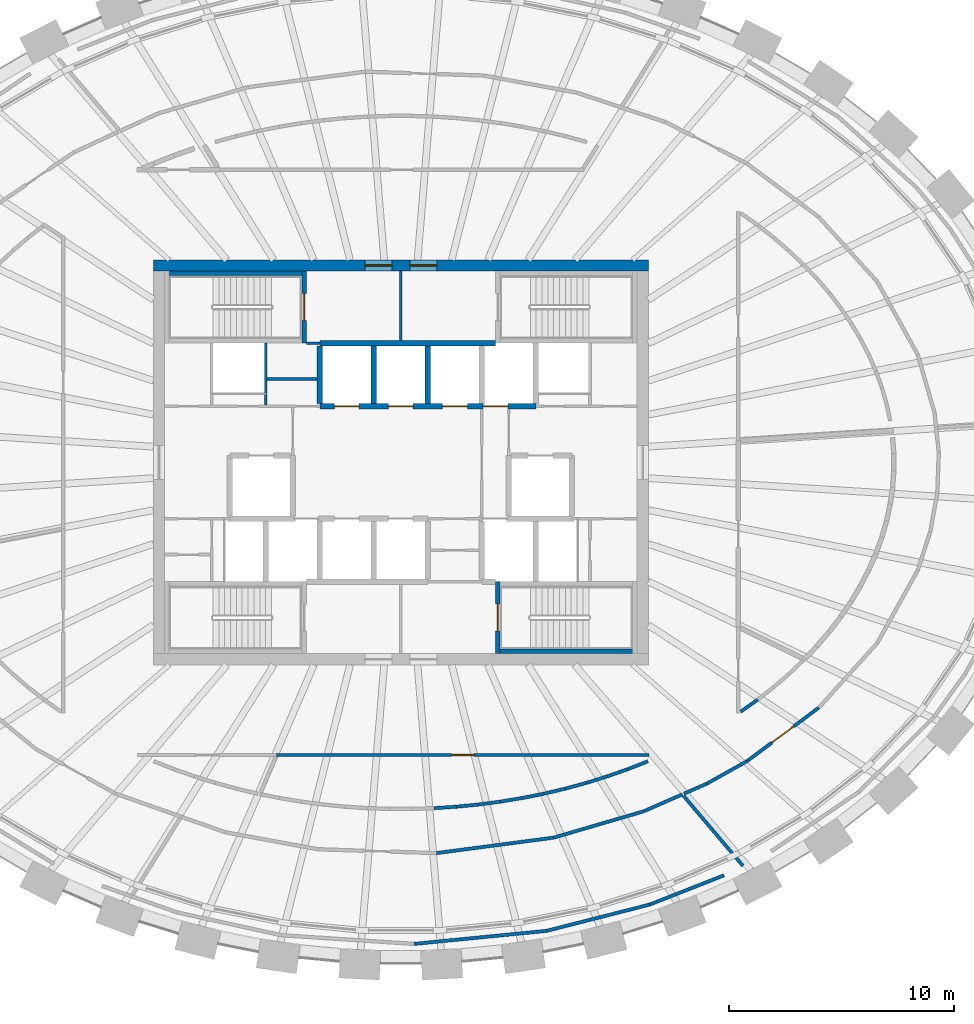
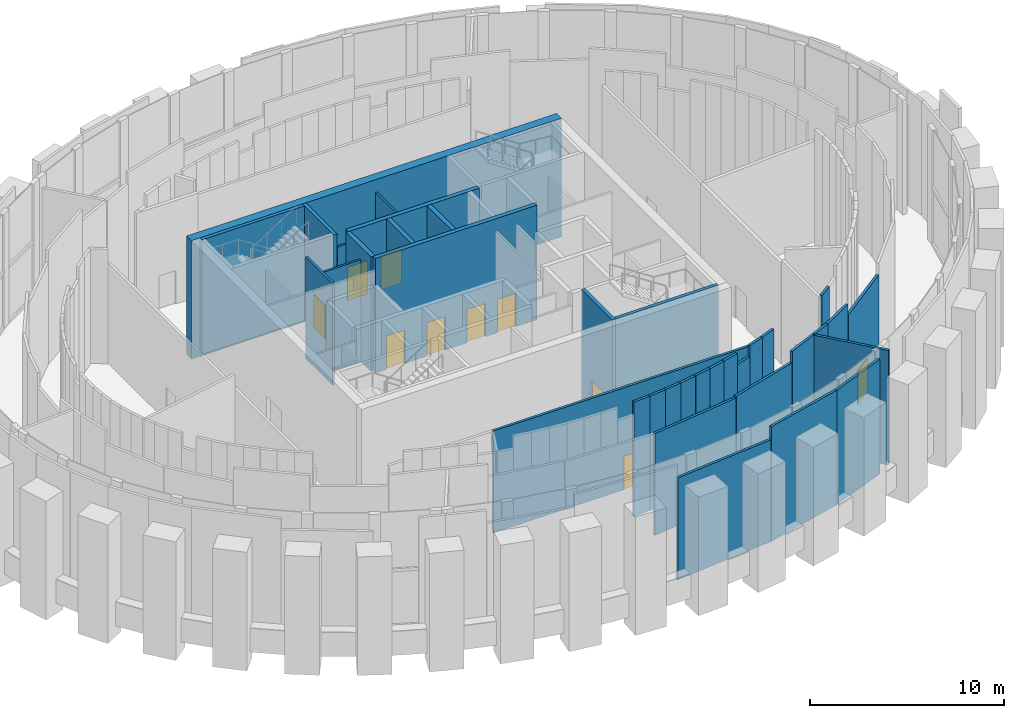
# One storey, part 10 of 16: 36 walls, 10 doors, 10 openings.
"""IFC4 building model written with IfcOpenShell, lengths in metres."""

from ifc_helpers import new_model, si_unit, direction, frame, frame_2d, origin, place, context, subcontext, project, spatial, rectangle, extrude, source, transform, mapped, material, layer, layer_set, type_object, element, fill, save


model = new_model("IFC4")

# Units and contexts
model_context = context("Model", 3, precision=1e-05, world=origin(), true_north=direction((0.0, 1.0)))
body_context = subcontext(model_context, "Body", "Model", "MODEL_VIEW")
ifc_project = project(units=[si_unit("LENGTHUNIT", "METRE"), si_unit("AREAUNIT", "SQUARE_METRE"), si_unit("VOLUMEUNIT", "CUBIC_METRE"), si_unit("PLANEANGLEUNIT", "RADIAN"), si_unit("MASSUNIT", "GRAM", prefix="KILO")], contexts=[model_context])

# Site, building, storey
site_placement = place(None, origin())
site = spatial("IfcSite", under=ifc_project, at=site_placement, CompositionType="ELEMENT")
building_placement = place(site_placement, origin())
building = spatial("IfcBuilding", under=site, at=building_placement, Name="Embergate Tower", CompositionType="ELEMENT")
storey_placement = place(building_placement, frame((0.0, 0.0, 332.5)))
storey = spatial("IfcBuildingStorey", under=building, at=storey_placement, Name="L78", CompositionType="ELEMENT", Elevation=332.5)

# Wall, openings, doors
ifc_material_1 = material(Name="Concrete C50", Category="concrete")
ifc_layer_1 = layer(ifc_material_1, 0.5)
ifc_layer_set_1 = layer_set([ifc_layer_1], Name="Concrete C50")
wall_type_1 = type_object("IfcWallType", Name="Core outer wall C50 500", PredefinedType="SHEAR", material=ifc_layer_set_1)
shared_shape_1 = source(origin(), body_context, "Body", "SweptSolid", [
    extrude(rectangle(XDim=22.0, YDim=0.5, at=frame_2d((11.0, 0.0))), origin(), (0.0, 0.0, 1.0), 7.449951171875),
])
wall_1_placement = place(storey_placement, frame((-11.0, 8.75, -0.25), z_axis=(0.0, 0.0, 1.0), x_axis=(1.0, 0.0, 0.0)))
wall_1 = element("IfcWall", 1, at=wall_1_placement, inside=storey, type_object=wall_type_1, Name="CW-L78-N", PredefinedType="SHEAR", context=body_context, shape_type="MappedRepresentation", body=[
    mapped(shared_shape_1, transform((0.0, 0.0, 0.0))),
])
shared_shape_2 = source(origin(), body_context, "Body", "SweptSolid", [
    extrude(rectangle(XDim=1.199951171875, YDim=2.10009765625, at=frame_2d((0.60009765625, 1.050048828125))), frame((0.0, 0.260009765625, 0.0), z_axis=(0.0, -1.0, 0.0), x_axis=(1.0, 0.0, 0.0)), (0.0, 0.0, 1.0), 0.52001953125),
])
opening_1_placement = place(wall_1_placement, frame((9.39990234375, 0.0, 0.25)))
opening_1 = element("IfcOpeningElement", 2, at=opening_1_placement, cuts=wall_1, Name="Opening IF-1", PredefinedType="OPENING", context=body_context, shape_type="MappedRepresentation", body=[
    mapped(shared_shape_2, transform((0.0, 0.0, 0.0))),
])
opening_2_placement = place(wall_1_placement, frame((11.39990234375, 0.0, 0.25)))
opening_2 = element("IfcOpeningElement", 3, at=opening_2_placement, cuts=wall_1, Name="Opening IF-1", PredefinedType="OPENING", context=body_context, shape_type="MappedRepresentation", body=[
    mapped(shared_shape_2, transform((0.0, 0.0, 0.0))),
])
ifc_material_2 = material(Name="Escape fire door 1200")
door_type_1 = type_object("IfcDoorType", Name="Escape fire door 1200", OperationType="SINGLE_SWING_LEFT", PredefinedType="DOOR", material=ifc_material_2)
shared_shape_3 = source(origin(), body_context, "Body", "SweptSolid", [
    extrude(rectangle(XDim=1.199951171875, YDim=2.10009765625, at=frame_2d((0.60009765625, 1.050048828125))), frame((0.0, 0.02490234375, 0.0), z_axis=(0.0, -1.0, 0.0), x_axis=(1.0, 0.0, 0.0)), (0.0, 0.0, 1.0), 0.050048828125),
])
door_1_placement = place(opening_1_placement, origin())
door_1 = element("IfcDoor", 4, at=door_1_placement, inside=storey, type_object=door_type_1, Name="IF-1 door", OperationType="SINGLE_SWING_LEFT", OverallHeight=2.10009765625, OverallWidth=1.199951171875, PredefinedType="DOOR", context=body_context, shape_type="MappedRepresentation", body=[
    mapped(shared_shape_3, transform((0.0, 0.0, 0.0))),
])
fill(opening_1, door_1)
door_2_placement = place(opening_2_placement, origin())
door_2 = element("IfcDoor", 5, at=door_2_placement, inside=storey, type_object=door_type_1, Name="IF-1 door", OperationType="SINGLE_SWING_RIGHT", OverallHeight=2.10009765625, OverallWidth=1.199951171875, PredefinedType="DOOR", context=body_context, shape_type="MappedRepresentation", body=[
    mapped(shared_shape_3, transform((0.0, 0.0, 0.0))),
])
fill(opening_2, door_2)

# Walls
ifc_layer_2 = layer(ifc_material_1, 0.199951171875)
ifc_layer_set_2 = layer_set([ifc_layer_2], Name="Concrete C50")
wall_type_2 = type_object("IfcWallType", Name="Stair enclosure wall reinforced concrete 250", PredefinedType="SHEAR", material=ifc_layer_set_2)
shared_shape_4 = source(origin(), body_context, "Body", "SweptSolid", [
    extrude(rectangle(XDim=6.298095703125, YDim=0.199951171875, at=frame_2d((3.14892578125, 0.0))), origin(), (0.0, 0.0, 1.0), 7.199951171875),
])
for number, where, z_axis, x_axis, name in (
    (6, (-4.201904296875, 8.39990234375, 0.0), (0.0, 0.0, 1.0), (-1.0, 0.0, 0.0), "SE-1 wall"),
    (7, (4.201904296875, -8.39990234375, 0.0), (0.0, 0.0, 1.0), (1.0, 0.0, 0.0), "SE-1 wall"),
):
    element("IfcWall", number, at=place(storey_placement, frame(where, z_axis=z_axis, x_axis=x_axis)), inside=storey, type_object=wall_type_2, Name=name, PredefinedType="SHEAR", context=body_context, shape_type="MappedRepresentation", body=[
        mapped(shared_shape_4, transform((0.0, 0.0, 0.0))),
    ])
ifc_material_3 = material(Name="Core partition blockwork 120")
ifc_layer_3 = layer(ifc_material_3, 0.1201171875)
ifc_layer_set_3 = layer_set([ifc_layer_3], Name="Core partition blockwork 120")
wall_type_3 = type_object("IfcWallType", Name="Core partition blockwork 120", PredefinedType="PARTITIONING", material=ifc_layer_set_3)
shared_shape_5 = source(origin(), body_context, "Body", "SweptSolid", [
    extrude(rectangle(XDim=2.738037109375, YDim=0.1201171875, at=frame_2d((1.369140625, 0.0))), origin(), (0.0, 0.0, 1.0), 6.39990234375),
])
wall_2_placement = place(storey_placement, frame((-6.0, 2.56005859375, 0.0), z_axis=(0.0, 0.0, 1.0), x_axis=(0.0, 1.0, 0.0)))
element("IfcWall", 8, at=wall_2_placement, inside=storey, type_object=wall_type_3, Name="IP-3 wall", PredefinedType="PARTITIONING", context=body_context, shape_type="MappedRepresentation", body=[
    mapped(shared_shape_5, transform((0.0, 0.0, 0.0))),
])
ifc_layer_4 = layer(ifc_material_1, 0.25)
ifc_layer_set_4 = layer_set([ifc_layer_4], Name="Concrete C50")
wall_type_4 = type_object("IfcWallType", Name="Hoistway wall reinforced concrete 250", PredefinedType="SHEAR", material=ifc_layer_set_4)
shared_shape_6 = source(origin(), body_context, "Body", "SweptSolid", [
    extrude(rectangle(XDim=2.550048828125, YDim=0.25, at=frame_2d((1.27490234375, 0.0))), origin(), (0.0, 0.0, 1.0), 7.199951171875),
])
for number, where, z_axis, x_axis, name in (
    (9, (-1.199951171875, 2.625, 0.0), (0.0, 0.0, 1.0), (0.0, 1.0, 0.0), "HW-1 wall"),
    (10, (1.199951171875, 2.625, 0.0), (0.0, 0.0, 1.0), (0.0, 1.0, 0.0), "HW-1 wall"),
):
    element("IfcWall", number, at=place(storey_placement, frame(where, z_axis=z_axis, x_axis=x_axis)), inside=storey, type_object=wall_type_4, Name=name, PredefinedType="SHEAR", context=body_context, shape_type="MappedRepresentation", body=[
        mapped(shared_shape_6, transform((0.0, 0.0, 0.0))),
    ])

# Wall, openings, doors
shared_shape_7 = source(origin(), body_context, "Body", "SweptSolid", [
    extrude(rectangle(XDim=9.60009765625, YDim=0.25, at=frame_2d((4.800048828125, 0.0))), origin(), (0.0, 0.0, 1.0), 7.199951171875),
])
wall_3_placement = place(storey_placement, frame((-3.60009765625, 2.5, 0.0), z_axis=(0.0, 0.0, 1.0), x_axis=(1.0, 0.0, 0.0)))
wall_3 = element("IfcWall", 11, at=wall_3_placement, inside=storey, type_object=wall_type_4, Name="HW-1 wall", PredefinedType="SHEAR", context=body_context, shape_type="MappedRepresentation", body=[
    mapped(shared_shape_7, transform((0.0, 0.0, 0.0))),
])
shared_shape_8 = source(origin(), body_context, "Body", "SweptSolid", [
    extrude(rectangle(XDim=1.10009765625, YDim=2.10009765625, at=frame_2d((0.550048828125, 1.050048828125))), frame((0.0, 0.135009765625, 0.0), z_axis=(0.0, -1.0, 0.0), x_axis=(1.0, 0.0, 0.0)), (0.0, 0.0, 1.0), 0.27001953125),
])
opening_3_placement = place(wall_3_placement, frame((0.64990234375, 0.0, 0.0)))
opening_3 = element("IfcOpeningElement", 12, at=opening_3_placement, cuts=wall_3, Name="Opening LD", PredefinedType="OPENING", context=body_context, shape_type="MappedRepresentation", body=[
    mapped(shared_shape_8, transform((0.0, 0.0, 0.0))),
])
opening_4_placement = place(wall_3_placement, frame((3.050048828125, 0.0, 0.0)))
opening_4 = element("IfcOpeningElement", 13, at=opening_4_placement, cuts=wall_3, Name="Opening LD", PredefinedType="OPENING", context=body_context, shape_type="MappedRepresentation", body=[
    mapped(shared_shape_8, transform((0.0, 0.0, 0.0))),
])
opening_5_placement = place(wall_3_placement, frame((5.449951171875, 0.0, 0.0)))
opening_5 = element("IfcOpeningElement", 14, at=opening_5_placement, cuts=wall_3, Name="Opening LD", PredefinedType="OPENING", context=body_context, shape_type="MappedRepresentation", body=[
    mapped(shared_shape_8, transform((0.0, 0.0, 0.0))),
])
opening_6_placement = place(wall_3_placement, frame((7.25, 0.0, 0.0)))
opening_6 = element("IfcOpeningElement", 15, at=opening_6_placement, cuts=wall_3, Name="Opening LD", PredefinedType="OPENING", context=body_context, shape_type="MappedRepresentation", body=[
    mapped(shared_shape_8, transform((0.0, 0.0, 0.0))),
])
ifc_material_4 = material(Name="Landing door sliding 1100")
door_type_2 = type_object("IfcDoorType", Name="Landing door sliding 1100", OperationType="SLIDING_TO_LEFT", PredefinedType="DOOR", material=ifc_material_4)
shared_shape_9 = source(origin(), body_context, "Body", "SweptSolid", [
    extrude(rectangle(XDim=1.10009765625, YDim=2.10009765625, at=frame_2d((0.550048828125, 1.050048828125))), frame((0.0, 0.02490234375, 0.0), z_axis=(0.0, -1.0, 0.0), x_axis=(1.0, 0.0, 0.0)), (0.0, 0.0, 1.0), 0.050048828125),
])
door_3_placement = place(opening_3_placement, origin())
door_3 = element("IfcDoor", 16, at=door_3_placement, inside=storey, type_object=door_type_2, Name="LD door", OperationType="SLIDING_TO_RIGHT", OverallHeight=2.10009765625, OverallWidth=1.10009765625, PredefinedType="DOOR", context=body_context, shape_type="MappedRepresentation", body=[
    mapped(shared_shape_9, transform((0.0, 0.0, 0.0))),
])
fill(opening_3, door_3)
door_4_placement = place(opening_4_placement, origin())
door_4 = element("IfcDoor", 17, at=door_4_placement, inside=storey, type_object=door_type_2, Name="LD door", OperationType="SLIDING_TO_LEFT", OverallHeight=2.10009765625, OverallWidth=1.10009765625, PredefinedType="DOOR", context=body_context, shape_type="MappedRepresentation", body=[
    mapped(shared_shape_9, transform((0.0, 0.0, 0.0))),
])
fill(opening_4, door_4)
door_5_placement = place(opening_5_placement, origin())
door_5 = element("IfcDoor", 18, at=door_5_placement, inside=storey, type_object=door_type_2, Name="LD door", OperationType="SLIDING_TO_LEFT", OverallHeight=2.10009765625, OverallWidth=1.10009765625, PredefinedType="DOOR", context=body_context, shape_type="MappedRepresentation", body=[
    mapped(shared_shape_9, transform((0.0, 0.0, 0.0))),
])
fill(opening_5, door_5)
door_6_placement = place(opening_6_placement, origin())
door_6 = element("IfcDoor", 19, at=door_6_placement, inside=storey, type_object=door_type_2, Name="LD door", OperationType="SLIDING_TO_LEFT", OverallHeight=2.10009765625, OverallWidth=1.10009765625, PredefinedType="DOOR", context=body_context, shape_type="MappedRepresentation", body=[
    mapped(shared_shape_9, transform((0.0, 0.0, 0.0))),
])
fill(opening_6, door_6)

# Walls
shared_shape_10 = source(origin(), body_context, "Body", "SweptSolid", [
    extrude(rectangle(XDim=7.800048828125, YDim=0.25, at=frame_2d((3.89990234375, 0.0))), origin(), (0.0, 0.0, 1.0), 7.199951171875),
])
wall_4_placement = place(storey_placement, frame((4.199951171875, 5.300048828125, 0.0), z_axis=(0.0, 0.0, 1.0), x_axis=(-1.0, 0.0, 0.0)))
element("IfcWall", 20, at=wall_4_placement, inside=storey, type_object=wall_type_4, Name="HW-1 wall", PredefinedType="SHEAR", context=body_context, shape_type="MappedRepresentation", body=[
    mapped(shared_shape_10, transform((0.0, 0.0, 0.0))),
])
shared_shape_11 = source(origin(), body_context, "Body", "SweptSolid", [
    extrude(rectangle(XDim=2.548095703125, YDim=0.25, at=frame_2d((1.27392578125, 0.0))), origin(), (0.0, 0.0, 1.0), 7.199951171875),
])
wall_5_placement = place(storey_placement, frame((-3.60009765625, 5.173095703125, 0.0), z_axis=(0.0, 0.0, 1.0), x_axis=(0.0, -1.0, 0.0)))
element("IfcWall", 21, at=wall_5_placement, inside=storey, type_object=wall_type_4, Name="HW-1 wall", PredefinedType="SHEAR", context=body_context, shape_type="MappedRepresentation", body=[
    mapped(shared_shape_11, transform((0.0, 0.0, 0.0))),
])

# Wall, opening, door
shared_shape_12 = source(origin(), body_context, "Body", "SweptSolid", [
    extrude(rectangle(XDim=3.199951171875, YDim=0.199951171875, at=frame_2d((1.60009765625, 0.0))), origin(), (0.0, 0.0, 1.0), 7.199951171875),
])
wall_6_placement = place(storey_placement, frame((-4.300048828125, 5.300048828125, 0.0), z_axis=(0.0, 0.0, 1.0), x_axis=(0.0, 1.0, 0.0)))
wall_6 = element("IfcWall", 22, at=wall_6_placement, inside=storey, type_object=wall_type_2, Name="SE-1 wall", PredefinedType="SHEAR", context=body_context, shape_type="MappedRepresentation", body=[
    mapped(shared_shape_12, transform((0.0, 0.0, 0.0))),
])
shared_shape_13 = source(origin(), body_context, "Body", "SweptSolid", [
    extrude(rectangle(XDim=1.199951171875, YDim=2.10009765625, at=frame_2d((0.60009765625, 1.050048828125))), frame((0.0, 0.10986328125, 0.0), z_axis=(0.0, -1.0, 0.0), x_axis=(1.0, 0.0, 0.0)), (0.0, 0.0, 1.0), 0.219970703125),
])
opening_7_placement = place(wall_6_placement, frame((1.0, 0.0, 0.0)))
opening_7 = element("IfcOpeningElement", 23, at=opening_7_placement, cuts=wall_6, Name="Opening IF-2", PredefinedType="OPENING", context=body_context, shape_type="MappedRepresentation", body=[
    mapped(shared_shape_13, transform((0.0, 0.0, 0.0))),
])
ifc_material_5 = material(Name="Stair enclosure door 1200")
door_type_3 = type_object("IfcDoorType", Name="Stair enclosure door 1200", OperationType="SINGLE_SWING_LEFT", PredefinedType="DOOR", material=ifc_material_5)
door_7_placement = place(opening_7_placement, origin())
door_7 = element("IfcDoor", 24, at=door_7_placement, inside=storey, type_object=door_type_3, Name="IF-2 door", OperationType="SINGLE_SWING_RIGHT", OverallHeight=2.10009765625, OverallWidth=1.199951171875, PredefinedType="DOOR", context=body_context, shape_type="MappedRepresentation", body=[
    mapped(shared_shape_3, transform((0.0, 0.0, 0.0))),
])
fill(opening_7, door_7)

wall_7_placement = place(storey_placement, frame((4.300048828125, -5.300048828125, 0.0), z_axis=(0.0, 0.0, 1.0), x_axis=(0.0, -1.0, 0.0)))
wall_7 = element("IfcWall", 25, at=wall_7_placement, inside=storey, type_object=wall_type_2, Name="SE-1 wall", PredefinedType="SHEAR", context=body_context, shape_type="MappedRepresentation", body=[
    mapped(shared_shape_12, transform((0.0, 0.0, 0.0))),
])
opening_8_placement = place(wall_7_placement, frame((1.0, 0.0, 0.0)))
opening_8 = element("IfcOpeningElement", 26, at=opening_8_placement, cuts=wall_7, Name="Opening IF-2", PredefinedType="OPENING", context=body_context, shape_type="MappedRepresentation", body=[
    mapped(shared_shape_13, transform((0.0, 0.0, 0.0))),
])
door_8_placement = place(opening_8_placement, origin())
door_8 = element("IfcDoor", 27, at=door_8_placement, inside=storey, type_object=door_type_3, Name="IF-2 door", OperationType="SINGLE_SWING_RIGHT", OverallHeight=2.10009765625, OverallWidth=1.199951171875, PredefinedType="DOOR", context=body_context, shape_type="MappedRepresentation", body=[
    mapped(shared_shape_3, transform((0.0, 0.0, 0.0))),
])
fill(opening_8, door_8)

# Walls
shared_shape_14 = source(origin(), body_context, "Body", "SweptSolid", [
    extrude(rectangle(XDim=3.074951171875, YDim=0.1201171875, at=frame_2d((1.53759765625, 0.0))), origin(), (0.0, 0.0, 1.0), 6.39990234375),
])
wall_8_placement = place(storey_placement, frame((0.0, 5.425048828125, 0.0), z_axis=(0.0, 0.0, 1.0), x_axis=(0.0, 1.0, 0.0)))
element("IfcWall", 28, at=wall_8_placement, inside=storey, type_object=wall_type_3, Name="IP-3 wall", PredefinedType="PARTITIONING", context=body_context, shape_type="MappedRepresentation", body=[
    mapped(shared_shape_14, transform((0.0, 0.0, 0.0))),
])
shared_shape_15 = source(origin(), body_context, "Body", "SweptSolid", [
    extrude(rectangle(XDim=0.595947265625, YDim=0.1201171875, at=frame_2d((0.2978515625, 0.0))), origin(), (0.0, 0.0, 1.0), 6.39990234375),
])
wall_9_placement = place(storey_placement, frame((-4.197998046875, 5.300048828125, 0.0), z_axis=(0.0, 0.0, 1.0), x_axis=(1.0, 0.0, 0.0)))
element("IfcWall", 29, at=wall_9_placement, inside=storey, type_object=wall_type_3, Name="IP-3 wall", PredefinedType="PARTITIONING", context=body_context, shape_type="MappedRepresentation", body=[
    mapped(shared_shape_15, transform((0.0, 0.0, 0.0))),
])
shared_shape_16 = source(origin(), body_context, "Body", "SweptSolid", [
    extrude(rectangle(XDim=2.2109375, YDim=0.1201171875, at=frame_2d((1.10546875, 0.0))), origin(), (0.0, 0.0, 1.0), 6.39990234375),
])
wall_10_placement = place(storey_placement, frame((-3.72705078125, 3.7041015625, 0.0), z_axis=(0.0, 0.0, 1.0), x_axis=(-1.0, 0.0, 0.0)))
element("IfcWall", 30, at=wall_10_placement, inside=storey, type_object=wall_type_3, Name="IP-3 wall", PredefinedType="PARTITIONING", context=body_context, shape_type="MappedRepresentation", body=[
    mapped(shared_shape_16, transform((0.0, 0.0, 0.0))),
])
ifc_material_6 = material(Name="Plasterboard on steel stud", Category="steel")
ifc_layer_5 = layer(ifc_material_6, 0.14990234375)
ifc_layer_set_5 = layer_set([ifc_layer_5], Name="Plasterboard on steel stud")
wall_type_5 = type_object("IfcWallType", Name="Partition wall 150 board", PredefinedType="PARTITIONING", material=ifc_layer_set_5)
shared_shape_17 = source(origin(), body_context, "Body", "SweptSolid", [
    extrude(rectangle(XDim=3.5458984375, YDim=0.14990234375, at=frame_2d((1.77294921875, 0.0))), origin(), (0.0, 0.0, 1.0), 7.199951171875),
])
wall_11_placement = place(storey_placement, frame((14.35888671875, -18.34912109375, 0.0), z_axis=(0.0, 0.0, 1.0), x_axis=(-0.930607478203, -0.366018744756, 0.0)))
element("IfcWall", 31, at=wall_11_placement, inside=storey, type_object=wall_type_5, Name="Partition 149", PredefinedType="PARTITIONING", context=body_context, shape_type="MappedRepresentation", body=[
    mapped(shared_shape_17, transform((0.0, 0.0, 0.0))),
])
shared_shape_18 = source(origin(), body_context, "Body", "SweptSolid", [
    extrude(rectangle(XDim=4.728515625, YDim=0.14990234375, at=frame_2d((2.3642578125, 0.0))), origin(), (0.0, 0.0, 1.0), 7.199951171875),
])
wall_12_placement = place(storey_placement, frame((11.05908203125, -19.64697265625, 0.0), z_axis=(0.0, 0.0, 1.0), x_axis=(-0.969014535327, -0.247003705083, 0.0)))
element("IfcWall", 32, at=wall_12_placement, inside=storey, type_object=wall_type_5, Name="Partition 143", PredefinedType="PARTITIONING", context=body_context, shape_type="MappedRepresentation", body=[
    mapped(shared_shape_18, transform((0.0, 0.0, 0.0))),
])
shared_shape_19 = source(origin(), body_context, "Body", "SweptSolid", [
    extrude(rectangle(XDim=0.96728515625, YDim=0.14990234375, at=frame_2d((0.483642578125, 0.0))), origin(), (0.0, 0.0, 1.0), 7.199951171875),
])
wall_13_placement = place(storey_placement, frame((10.076904296875, -13.634033203125, 0.0), z_axis=(0.0, 0.0, 1.0), x_axis=(0.930619512582, 0.365988145713, 0.0)))
element("IfcWall", 33, at=wall_13_placement, inside=storey, type_object=wall_type_5, Name="Partition 140", PredefinedType="PARTITIONING", context=body_context, shape_type="MappedRepresentation", body=[
    mapped(shared_shape_19, transform((0.0, 0.0, 0.0))),
])
shared_shape_20 = source(origin(), body_context, "Body", "SweptSolid", [
    extrude(rectangle(XDim=0.957763671875, YDim=0.14990234375, at=frame_2d((0.47900390625, 0.0))), origin(), (0.0, 0.0, 1.0), 7.199951171875),
])
wall_14_placement = place(storey_placement, frame((9.173095703125, -13.950927734375, 0.0), z_axis=(0.0, 0.0, 1.0), x_axis=(0.943675403616, 0.330872683386, 0.0)))
element("IfcWall", 34, at=wall_14_placement, inside=storey, type_object=wall_type_5, Name="Partition 137", PredefinedType="PARTITIONING", context=body_context, shape_type="MappedRepresentation", body=[
    mapped(shared_shape_20, transform((0.0, 0.0, 0.0))),
])
shared_shape_21 = source(origin(), body_context, "Body", "SweptSolid", [
    extrude(rectangle(XDim=0.979736328125, YDim=0.14990234375, at=frame_2d((0.48974609375, 0.0))), origin(), (0.0, 0.0, 1.0), 7.199951171875),
])
wall_15_placement = place(storey_placement, frame((7.302978515625, -14.4970703125, 0.0), z_axis=(0.0, 0.0, 1.0), x_axis=(0.964683262792, 0.263412608827, 0.0)))
element("IfcWall", 35, at=wall_15_placement, inside=storey, type_object=wall_type_5, Name="Partition 131", PredefinedType="PARTITIONING", context=body_context, shape_type="MappedRepresentation", body=[
    mapped(shared_shape_21, transform((0.0, 0.0, 0.0))),
])
shared_shape_22 = source(origin(), body_context, "Body", "SweptSolid", [
    extrude(rectangle(XDim=5.248779296875, YDim=0.14990234375, at=frame_2d((2.62451171875, 0.0))), origin(), (0.0, 0.0, 1.0), 6.39990234375),
])
wall_16_placement = place(storey_placement, frame((6.782958984375, -16.675048828125, 0.0), z_axis=(0.0, 0.0, 1.0), x_axis=(-0.99142181034, -0.130701162893, 0.0)))
element("IfcWall", 36, at=wall_16_placement, inside=storey, type_object=wall_type_5, Name="Partition 130", PredefinedType="PARTITIONING", context=body_context, shape_type="MappedRepresentation", body=[
    mapped(shared_shape_22, transform((0.0, 0.0, 0.0))),
])
shared_shape_23 = source(origin(), body_context, "Body", "SweptSolid", [
    extrude(rectangle(XDim=5.91357421875, YDim=0.14990234375, at=frame_2d((2.956787109375, 0.0))), origin(), (0.0, 0.0, 1.0), 6.39990234375),
])
wall_17_placement = place(storey_placement, frame((6.47705078125, -20.81494140625, 0.0), z_axis=(0.0, 0.0, 1.0), x_axis=(-0.995177214215, -0.098093385645, 0.0)))
element("IfcWall", 37, at=wall_17_placement, inside=storey, type_object=wall_type_5, Name="Partition 129", PredefinedType="PARTITIONING", context=body_context, shape_type="MappedRepresentation", body=[
    mapped(shared_shape_23, transform((0.0, 0.0, 0.0))),
])
shared_shape_24 = source(origin(), body_context, "Body", "SweptSolid", [
    extrude(rectangle(XDim=0.97216796875, YDim=0.14990234375, at=frame_2d((0.486083984375, 0.0))), origin(), (0.0, 0.0, 1.0), 7.199951171875),
])
wall_18_placement = place(storey_placement, frame((6.35693359375, -14.720947265625, 0.0), z_axis=(0.0, 0.0, 1.0), x_axis=(0.973123250608, 0.230284908595, 0.0)))
element("IfcWall", 38, at=wall_18_placement, inside=storey, type_object=wall_type_5, Name="Partition 127", PredefinedType="PARTITIONING", context=body_context, shape_type="MappedRepresentation", body=[
    mapped(shared_shape_24, transform((0.0, 0.0, 0.0))),
])
shared_shape_25 = source(origin(), body_context, "Body", "SweptSolid", [
    extrude(rectangle(XDim=0.986328125, YDim=0.14990234375, at=frame_2d((0.4931640625, 0.0))), origin(), (0.0, 0.0, 1.0), 7.199951171875),
])
wall_19_placement = place(storey_placement, frame((4.423095703125, -15.074951171875, 0.0), z_axis=(0.0, 0.0, 1.0), x_axis=(0.986440715408, 0.164117991045, 0.0)))
element("IfcWall", 39, at=wall_19_placement, inside=storey, type_object=wall_type_5, Name="Partition 122", PredefinedType="PARTITIONING", context=body_context, shape_type="MappedRepresentation", body=[
    mapped(shared_shape_25, transform((0.0, 0.0, 0.0))),
])
shared_shape_26 = source(origin(), body_context, "Body", "SweptSolid", [
    extrude(rectangle(XDim=0.97998046875, YDim=0.14990234375, at=frame_2d((0.489990234375, 0.0))), origin(), (0.0, 0.0, 1.0), 7.199951171875),
])
wall_20_placement = place(storey_placement, frame((5.39599609375, -14.9130859375, 0.0), z_axis=(0.0, 0.0, 1.0), x_axis=(0.980590256586, 0.196068224577, 0.0)))
element("IfcWall", 40, at=wall_20_placement, inside=storey, type_object=wall_type_5, Name="Partition 125", PredefinedType="PARTITIONING", context=body_context, shape_type="MappedRepresentation", body=[
    mapped(shared_shape_26, transform((0.0, 0.0, 0.0))),
])
shared_shape_27 = source(origin(), body_context, "Body", "SweptSolid", [
    extrude(rectangle(XDim=0.982421875, YDim=0.14990234375, at=frame_2d((0.4912109375, 0.0))), origin(), (0.0, 0.0, 1.0), 7.199951171875),
])
wall_21_placement = place(storey_placement, frame((3.448974609375, -15.202880859375, 0.0), z_axis=(0.0, 0.0, 1.0), x_axis=(0.991486405438, 0.130210244724, 0.0)))
element("IfcWall", 41, at=wall_21_placement, inside=storey, type_object=wall_type_5, Name="Partition 119", PredefinedType="PARTITIONING", context=body_context, shape_type="MappedRepresentation", body=[
    mapped(shared_shape_27, transform((0.0, 0.0, 0.0))),
])
shared_shape_28 = source(origin(), body_context, "Body", "SweptSolid", [
    extrude(rectangle(XDim=0.985595703125, YDim=0.14990234375, at=frame_2d((0.49267578125, 0.0))), origin(), (0.0, 0.0, 1.0), 7.199951171875),
])
wall_22_placement = place(storey_placement, frame((2.468017578125, -15.299072265625, 0.0), z_axis=(0.0, 0.0, 1.0), x_axis=(0.995226638475, 0.097590665893, 0.0)))
element("IfcWall", 42, at=wall_22_placement, inside=storey, type_object=wall_type_5, Name="Partition 117", PredefinedType="PARTITIONING", context=body_context, shape_type="MappedRepresentation", body=[
    mapped(shared_shape_28, transform((0.0, 0.0, 0.0))),
])
shared_shape_29 = source(origin(), body_context, "Body", "SweptSolid", [
    extrude(rectangle(XDim=0.9892578125, YDim=0.14990234375, at=frame_2d((0.49462890625, 0.0))), origin(), (0.0, 0.0, 1.0), 7.199951171875),
])
wall_23_placement = place(storey_placement, frame((1.48095703125, -15.364013671875, 0.0), z_axis=(0.0, 0.0, 1.0), x_axis=(0.99784265977, 0.065650790873, 0.0)))
element("IfcWall", 43, at=wall_23_placement, inside=storey, type_object=wall_type_5, Name="Partition 114", PredefinedType="PARTITIONING", context=body_context, shape_type="MappedRepresentation", body=[
    mapped(shared_shape_29, transform((0.0, 0.0, 0.0))),
])
shared_shape_30 = source(origin(), body_context, "Body", "SweptSolid", [
    extrude(rectangle(XDim=0.96875, YDim=0.14990234375, at=frame_2d((0.484375, 0.0))), origin(), (0.0, 0.0, 1.0), 6.5),
])
wall_24_placement = place(storey_placement, frame((8.248046875, -14.239013671875, 0.0), z_axis=(0.0, 0.0, 1.0), x_axis=(0.954770964076, 0.297342237427, 0.0)))
element("IfcWall", 44, at=wall_24_placement, inside=storey, type_object=wall_type_5, Name="Partition 134", PredefinedType="PARTITIONING", context=body_context, shape_type="MappedRepresentation", body=[
    mapped(shared_shape_30, transform((0.0, 0.0, 0.0))),
])
shared_shape_31 = source(origin(), body_context, "Body", "SweptSolid", [
    extrude(rectangle(XDim=4.15771484375, YDim=0.14990234375, at=frame_2d((2.078857421875, 0.0))), origin(), (0.0, 0.0, 1.0), 6.5),
])
wall_25_placement = place(storey_placement, frame((10.77392578125, -15.509033203125, 0.0), z_axis=(0.0, 0.0, 1.0), x_axis=(-0.959871658062, -0.280439654916, 0.0)))
element("IfcWall", 45, at=wall_25_placement, inside=storey, type_object=wall_type_5, Name="Partition 141", PredefinedType="PARTITIONING", context=body_context, shape_type="MappedRepresentation", body=[
    mapped(shared_shape_31, transform((0.0, 0.0, 0.0))),
])

# Wall, opening, door
shared_shape_32 = source(origin(), body_context, "Body", "SweptSolid", [
    extrude(rectangle(XDim=16.5419921875, YDim=0.14990234375, at=frame_2d((8.27099609375, 0.0))), origin(), (0.0, 0.0, 1.0), 6.39990234375),
])
wall_26_placement = place(storey_placement, frame((11.02197265625, -13.0, 0.0), z_axis=(0.0, 0.0, 1.0), x_axis=(-1.0, 0.0, 0.0)))
wall_26 = element("IfcWall", 46, at=wall_26_placement, inside=storey, type_object=wall_type_5, Name="Partition 142", PredefinedType="PARTITIONING", context=body_context, shape_type="MappedRepresentation", body=[
    mapped(shared_shape_32, transform((0.0, 0.0, 0.0))),
])
shared_shape_33 = source(origin(), body_context, "Body", "SweptSolid", [
    extrude(rectangle(XDim=1.0, YDim=2.10009765625, at=frame_2d((0.5, 1.050048828125))), frame((0.0, 0.0849609375, 0.0), z_axis=(0.0, -1.0, 0.0), x_axis=(1.0, 0.0, 0.0)), (0.0, 0.0, 1.0), 0.169921875),
])
opening_9_placement = place(wall_26_placement, frame((7.77099609375, 0.0, 0.0)))
opening_9 = element("IfcOpeningElement", 47, at=opening_9_placement, cuts=wall_26, Name="Opening DS-270", PredefinedType="OPENING", context=body_context, shape_type="MappedRepresentation", body=[
    mapped(shared_shape_33, transform((0.0, 0.0, 0.0))),
])
ifc_material_7 = material(Name="Timber door leaf, steel frame", Category="steel")
door_type_4 = type_object("IfcDoorType", Name="Single door 1000x2100", OperationType="SINGLE_SWING_LEFT", PredefinedType="DOOR", material=ifc_material_7)
shared_shape_34 = source(origin(), body_context, "Body", "SweptSolid", [
    extrude(rectangle(XDim=1.0, YDim=2.10009765625, at=frame_2d((0.5, 1.050048828125))), frame((0.0, 0.02490234375, 0.0), z_axis=(0.0, -1.0, 0.0), x_axis=(1.0, 0.0, 0.0)), (0.0, 0.0, 1.0), 0.050048828125),
])
door_9_placement = place(opening_9_placement, origin())
door_9 = element("IfcDoor", 48, at=door_9_placement, inside=storey, type_object=door_type_4, Name="Door to Observatory office", OperationType="SINGLE_SWING_LEFT", OverallHeight=2.10009765625, OverallWidth=1.0, PredefinedType="DOOR", context=body_context, shape_type="MappedRepresentation", body=[
    mapped(shared_shape_34, transform((0.0, 0.0, 0.0))),
])
fill(opening_9, door_9)

# Walls
shared_shape_35 = source(origin(), body_context, "Body", "SweptSolid", [
    extrude(rectangle(XDim=1.8916015625, YDim=0.14990234375, at=frame_2d((0.94580078125, 0.0))), origin(), (0.0, 0.0, 1.0), 7.199951171875),
])
wall_27_placement = place(storey_placement, frame((12.507080078125, -14.7509765625, 0.0), z_axis=(0.0, 0.0, 1.0), x_axis=(-0.916195837054, -0.400730817587, 0.0)))
element("IfcWall", 49, at=wall_27_placement, inside=storey, type_object=wall_type_5, Name="Partition 146", PredefinedType="PARTITIONING", context=body_context, shape_type="MappedRepresentation", body=[
    mapped(shared_shape_35, transform((0.0, 0.0, 0.0))),
])
shared_shape_36 = source(origin(), body_context, "Body", "SweptSolid", [
    extrude(rectangle(XDim=4.083251953125, YDim=0.14990234375, at=frame_2d((2.04150390625, 0.0))), origin(), (0.0, 0.0, 1.0), 7.199951171875),
])
wall_28_placement = place(storey_placement, frame((12.555908203125, -14.80810546875, 0.0), z_axis=(0.0, 0.0, 1.0), x_axis=(0.646566519115, -0.762857612113, 0.0)))
element("IfcWall", 50, at=wall_28_placement, inside=storey, type_object=wall_type_5, Name="Partition 147", PredefinedType="PARTITIONING", context=body_context, shape_type="MappedRepresentation", body=[
    mapped(shared_shape_36, transform((0.0, 0.0, 0.0))),
])
shared_shape_37 = source(origin(), body_context, "Body", "SweptSolid", [
    extrude(rectangle(XDim=1.1142578125, YDim=0.14990234375, at=frame_2d((0.55712890625, 0.0))), origin(), (0.0, 0.0, 1.0), 7.199951171875),
])
wall_29_placement = place(storey_placement, frame((13.60107421875, -14.27294921875, 0.0), z_axis=(0.0, 0.0, 1.0), x_axis=(-0.916368426986, -0.400335991416, 0.0)))
element("IfcWall", 51, at=wall_29_placement, inside=storey, type_object=wall_type_5, Name="Partition 148", PredefinedType="PARTITIONING", context=body_context, shape_type="MappedRepresentation", body=[
    mapped(shared_shape_37, transform((0.0, 0.0, 0.0))),
])
shared_shape_38 = source(origin(), body_context, "Body", "SweptSolid", [
    extrude(rectangle(XDim=0.92431640625, YDim=0.14990234375, at=frame_2d((0.462158203125, 0.0))), origin(), (0.0, 0.0, 1.0), 6.5),
])
wall_30_placement = place(storey_placement, frame((15.10107421875, -11.075927734375, 0.0), z_axis=(0.0, 0.0, 1.0), x_axis=(0.815567455773, 0.578662012823, 0.0)))
element("IfcWall", 52, at=wall_30_placement, inside=storey, type_object=wall_type_5, Name="Partition 154", PredefinedType="PARTITIONING", context=body_context, shape_type="MappedRepresentation", body=[
    mapped(shared_shape_38, transform((0.0, 0.0, 0.0))),
])
shared_shape_39 = source(origin(), body_context, "Body", "SweptSolid", [
    extrude(rectangle(XDim=2.044189453125, YDim=0.14990234375, at=frame_2d((1.02197265625, 0.0))), origin(), (0.0, 0.0, 1.0), 7.199951171875),
])
wall_31_placement = place(storey_placement, frame((15.384033203125, -13.27294921875, 0.0), z_axis=(0.0, 0.0, 1.0), x_axis=(-0.872184054336, -0.489177856574, 0.0)))
element("IfcWall", 53, at=wall_31_placement, inside=storey, type_object=wall_type_5, Name="Partition 155", PredefinedType="PARTITIONING", context=body_context, shape_type="MappedRepresentation", body=[
    mapped(shared_shape_39, transform((0.0, 0.0, 0.0))),
])

# Wall, opening, door
shared_shape_40 = source(origin(), body_context, "Body", "SweptSolid", [
    extrude(rectangle(XDim=3.97607421875, YDim=0.14990234375, at=frame_2d((1.988037109375, 0.0))), origin(), (0.0, 0.0, 1.0), 6.5),
])
wall_32_placement = place(storey_placement, frame((18.572998046875, -10.89794921875, 0.0), z_axis=(0.0, 0.0, 1.0), x_axis=(-0.802014322301, -0.597304802277, 0.0)))
wall_32 = element("IfcWall", 54, at=wall_32_placement, inside=storey, type_object=wall_type_5, Name="Partition 168", PredefinedType="PARTITIONING", context=body_context, shape_type="MappedRepresentation", body=[
    mapped(shared_shape_40, transform((0.0, 0.0, 0.0))),
])
shared_shape_41 = source(origin(), body_context, "Body", "SweptSolid", [
    extrude(rectangle(XDim=1.199951171875, YDim=2.10009765625, at=frame_2d((0.60009765625, 1.050048828125))), frame((0.0, 0.0849609375, 0.0), z_axis=(0.0, -1.0, 0.0), x_axis=(1.0, 0.0, 0.0)), (0.0, 0.0, 1.0), 0.169921875),
])
opening_10_placement = place(wall_32_placement, frame((1.387939453125, 0.0, 0.0)))
opening_10 = element("IfcOpeningElement", 55, at=opening_10_placement, cuts=wall_32, Name="Opening DS-263", PredefinedType="OPENING", context=body_context, shape_type="MappedRepresentation", body=[
    mapped(shared_shape_41, transform((0.0, 0.0, 0.0))),
])
door_type_5 = type_object("IfcDoorType", Name="Plant door 1200x2100", OperationType="SINGLE_SWING_LEFT", PredefinedType="DOOR", material=ifc_material_7)
shared_shape_42 = source(origin(), body_context, "Body", "SweptSolid", [
    extrude(rectangle(XDim=1.199951171875, YDim=2.10009765625, at=frame_2d((0.60009765625, 1.050048828125))), frame((0.0, 0.02490234375, 0.0), z_axis=(0.0, -1.0, 0.0), x_axis=(1.0, 0.0, 0.0)), (0.0, 0.0, 1.0), 0.050048828125),
])
door_10_placement = place(opening_10_placement, origin())
door_10 = element("IfcDoor", 56, at=door_10_placement, inside=storey, type_object=door_type_5, Name="Door to South-east viewing lounge", OperationType="SINGLE_SWING_LEFT", OverallHeight=2.10009765625, OverallWidth=1.199951171875, PredefinedType="DOOR", context=body_context, shape_type="MappedRepresentation", body=[
    mapped(shared_shape_42, transform((0.0, 0.0, 0.0))),
])
fill(opening_10, door_10)

save(model, "model.ifc")
